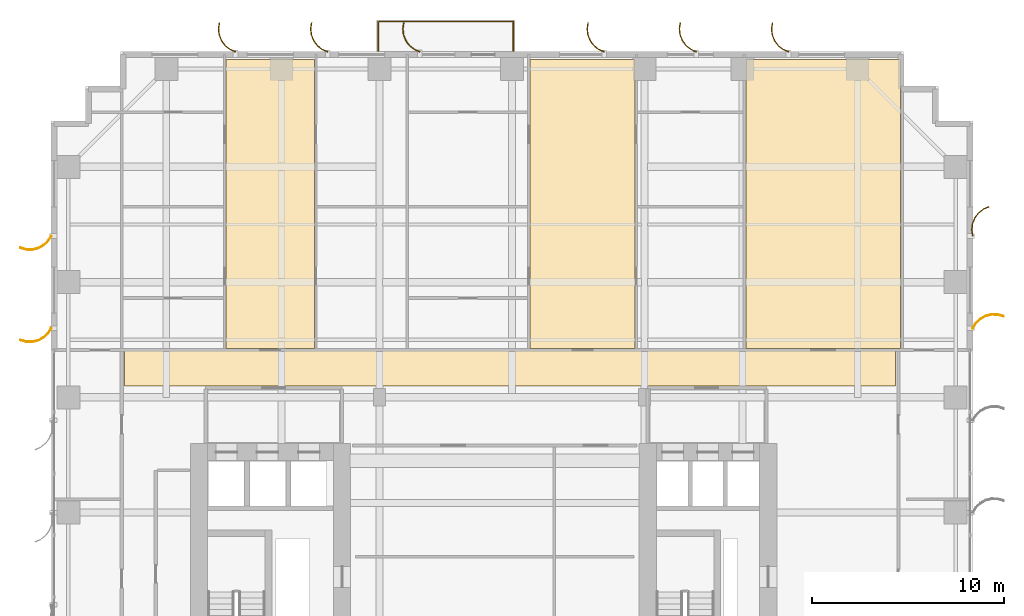
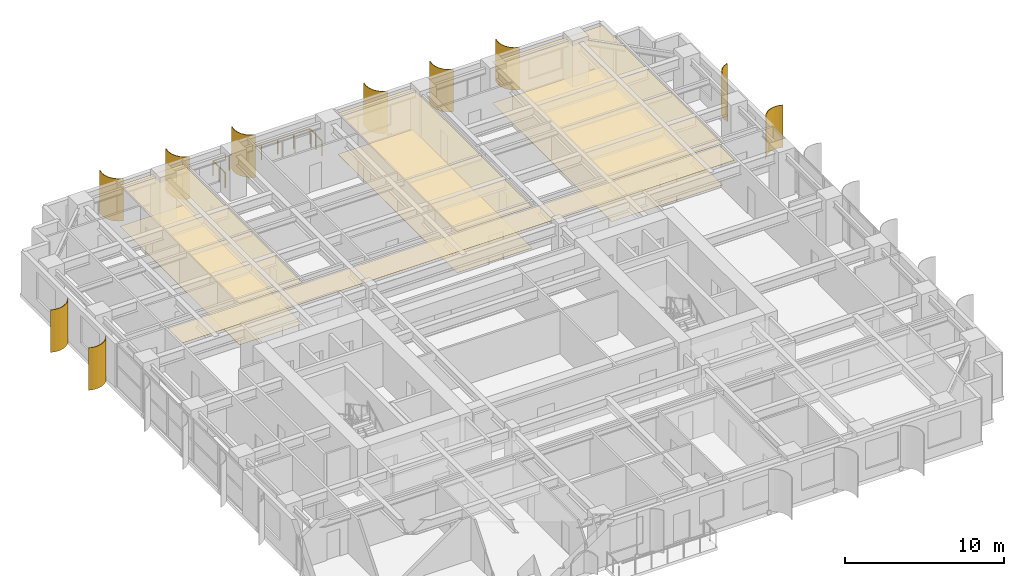
# One storey, part 18 of 18: 10 shading devices, 7 coverings, 1 railing.
"""IFC4 building model written with IfcOpenShell, lengths in metres."""

from ifc_helpers import new_model, si_unit, direction, frame, origin, origin_2d, place, context, subcontext, project, spatial, polyline, circle, outline, extrude, source, transform, mapped, material, layer, layer_set, type_object, element, save


model = new_model("IFC4")

# Units and contexts
model_context = context("Model", 3, precision=1e-05, world=origin(), true_north=direction((0.0, 1.0)))
body_context = subcontext(model_context, "Body", "Model", "MODEL_VIEW")
ifc_project = project(units=[si_unit("LENGTHUNIT", "METRE"), si_unit("AREAUNIT", "SQUARE_METRE"), si_unit("VOLUMEUNIT", "CUBIC_METRE"), si_unit("PLANEANGLEUNIT", "RADIAN"), si_unit("MASSUNIT", "GRAM", prefix="KILO")], contexts=[model_context])

# Site, building, storey
site_placement = place(None, origin())
site = spatial("IfcSite", under=ifc_project, at=site_placement, CompositionType="ELEMENT")
building_placement = place(site_placement, origin())
building = spatial("IfcBuilding", under=site, at=building_placement, Name="Khoralis Quay Care Tower", CompositionType="ELEMENT")
storey_placement = place(building_placement, frame((0.0, 0.0, 47.699951171875)))
storey = spatial("IfcBuildingStorey", under=building, at=storey_placement, Name="L12", CompositionType="ELEMENT", Elevation=47.699951171875)

# Coverings
ifc_material_1 = material(Name="Mineral-fibre acoustic ceiling tile")
ifc_layer_1 = layer(ifc_material_1, 0.01806640625)
ifc_layer_set_1 = layer_set([ifc_layer_1], Name="Mineral-fibre acoustic ceiling tile")
covering_type_1 = type_object("IfcCoveringType", Name="COV-CEIL-AC18", PredefinedType="CEILING", material=ifc_layer_set_1)
covering_1_placement = place(storey_placement, frame((0.0, 0.0, 3.172119140625)))
element("IfcCovering", 1, at=covering_1_placement, inside=storey, type_object=covering_type_1, Name="Suspended Acoustic Ceiling SP-L12-CORR-N", PredefinedType="CEILING", context=body_context, shape_type="SweptSolid", body=[
    extrude(outline(polyline([(3.820068359375, 30.590087890625), (43.97998046875, 30.590087890625), (43.97998046875, 32.419921875), (3.820068359375, 32.419921875), (3.820068359375, 30.590087890625)])), origin(), (0.0, 0.0, 1.0), 0.017822265625),
])
covering_2_placement = place(storey_placement, frame((0.0, 0.0, 3.172119140625)))
element("IfcCovering", 2, at=covering_2_placement, inside=storey, type_object=covering_type_1, Name="Suspended Acoustic Ceiling SP-L12-NB-F2LIV0", PredefinedType="CEILING", context=body_context, shape_type="SweptSolid", body=[
    extrude(outline(polyline([(9.113037109375, 32.5400390625), (13.7119140625, 32.5400390625), (13.7119140625, 47.580078125), (9.113037109375, 47.580078125), (9.113037109375, 32.5400390625)])), origin(), (0.0, 0.0, 1.0), 0.017822265625),
])
covering_3_placement = place(storey_placement, frame((0.0, 0.0, 3.172119140625)))
element("IfcCovering", 3, at=covering_3_placement, inside=storey, type_object=covering_type_1, Name="Suspended Acoustic Ceiling SP-L12-NB-F2LIV1", PredefinedType="CEILING", context=body_context, shape_type="SweptSolid", body=[
    extrude(outline(polyline([(24.947998046875, 32.5400390625), (30.404052734375, 32.5400390625), (30.404052734375, 47.580078125), (24.947998046875, 47.580078125), (24.947998046875, 32.5400390625)])), origin(), (0.0, 0.0, 1.0), 0.017822265625),
])
covering_4_placement = place(storey_placement, frame((0.0, 0.0, 3.172119140625)))
element("IfcCovering", 4, at=covering_4_placement, inside=storey, type_object=covering_type_1, Name="Suspended Acoustic Ceiling SP-L12-NB-COM2", PredefinedType="CEILING", context=body_context, shape_type="SweptSolid", body=[
    extrude(outline(polyline([(36.179931640625, 32.5400390625), (44.239990234375, 32.5400390625), (44.239990234375, 47.580078125), (36.179931640625, 47.580078125), (36.179931640625, 32.5400390625)])), origin(), (0.0, 0.0, 1.0), 0.017822265625),
])
ifc_material_2 = material(Name="Porcelain and non-slip vinyl flooring")
ifc_layer_2 = layer(ifc_material_2, 0.02001953125)
ifc_layer_set_2 = layer_set([ifc_layer_2], Name="Porcelain and non-slip vinyl flooring")
covering_type_2 = type_object("IfcCoveringType", Name="COV-FLOOR-20", PredefinedType="FLOORING", material=ifc_layer_set_2)
covering_5_placement = place(storey_placement, origin())
element("IfcCovering", 5, at=covering_5_placement, inside=storey, type_object=covering_type_2, Name="Resilient Healthcare Flooring SP-L12-NB-F2LIV0", PredefinedType="FLOORING", context=body_context, shape_type="SweptSolid", body=[
    extrude(outline(polyline([(9.113037109375, 32.5400390625), (13.7119140625, 32.5400390625), (13.7119140625, 47.580078125), (9.113037109375, 47.580078125), (9.113037109375, 32.5400390625)])), origin(), (0.0, 0.0, 1.0), 0.02001953125),
])
covering_6_placement = place(storey_placement, origin())
element("IfcCovering", 6, at=covering_6_placement, inside=storey, type_object=covering_type_2, Name="Resilient Healthcare Flooring SP-L12-NB-F2LIV1", PredefinedType="FLOORING", context=body_context, shape_type="SweptSolid", body=[
    extrude(outline(polyline([(24.947998046875, 32.5400390625), (30.404052734375, 32.5400390625), (30.404052734375, 47.580078125), (24.947998046875, 47.580078125), (24.947998046875, 32.5400390625)])), origin(), (0.0, 0.0, 1.0), 0.02001953125),
])
covering_7_placement = place(storey_placement, origin())
element("IfcCovering", 7, at=covering_7_placement, inside=storey, type_object=covering_type_2, Name="Resilient Healthcare Flooring SP-L12-NB-COM2", PredefinedType="FLOORING", context=body_context, shape_type="SweptSolid", body=[
    extrude(outline(polyline([(36.179931640625, 32.5400390625), (44.239990234375, 32.5400390625), (44.239990234375, 47.580078125), (36.179931640625, 47.580078125), (36.179931640625, 32.5400390625)])), origin(), (0.0, 0.0, 1.0), 0.02001953125),
])

# Railing
ifc_material_3 = material(Name="Pale anodised aluminium", Category="aluminium")
railing_type = type_object("IfcRailingType", Name="RL-BALUST-1150", PredefinedType="BALUSTRADE", material=ifc_material_3)
railing_placement = place(storey_placement, frame((17.030029296875, 48.0400390625, -0.06005859375)))
element("IfcRailing", 8, at=railing_placement, inside=storey, type_object=railing_type, Name="L12 Senior Loggia Balcony Guard", PredefinedType="BALUSTRADE", context=body_context, shape_type="SweptSolid", body=[
    extrude(circle(Radius=0.02392578125, at=origin_2d()), frame((0.0, 0.0, 1.1259765625), z_axis=(0.0, 1.0, 0.0), x_axis=(-1.0, 0.0, 0.0)), (0.0, 0.0, 1.0), 1.530029296875),
    extrude(circle(Radius=0.02392578125, at=origin_2d()), frame((0.0, 1.530029296875, 1.1259765625), z_axis=(1.0, 0.0, 0.0), x_axis=(0.0, 1.0, 0.0)), (0.0, 0.0, 1.0), 7.0400390625),
    extrude(circle(Radius=0.02392578125, at=origin_2d()), frame((7.0400390625, 1.530029296875, 1.1259765625), z_axis=(0.0, -1.0, 0.0), x_axis=(1.0, 0.0, 0.0)), (0.0, 0.0, 1.0), 1.530029296875),
    extrude(circle(Radius=0.02099609375, at=origin_2d()), origin(), (0.0, 0.0, 1.0), 1.101806640625),
    extrude(circle(Radius=0.02099609375, at=origin_2d()), frame((0.0, 0.76513671875, 0.0)), (0.0, 0.0, 1.0), 1.101806640625),
    extrude(circle(Radius=0.02099609375, at=origin_2d()), frame((0.0, 1.530029296875, 0.0)), (0.0, 0.0, 1.0), 1.101806640625),
    extrude(circle(Radius=0.02099609375, at=origin_2d()), frame((1.17333984375, 1.530029296875, 0.0)), (0.0, 0.0, 1.0), 1.101806640625),
    extrude(circle(Radius=0.02099609375, at=origin_2d()), frame((2.3466796875, 1.530029296875, 0.0)), (0.0, 0.0, 1.0), 1.101806640625),
    extrude(circle(Radius=0.02099609375, at=origin_2d()), frame((3.52001953125, 1.530029296875, 0.0)), (0.0, 0.0, 1.0), 1.101806640625),
    extrude(circle(Radius=0.02099609375, at=origin_2d()), frame((4.693359375, 1.530029296875, 0.0)), (0.0, 0.0, 1.0), 1.101806640625),
    extrude(circle(Radius=0.02099609375, at=origin_2d()), frame((5.86669921875, 1.530029296875, 0.0)), (0.0, 0.0, 1.0), 1.101806640625),
    extrude(circle(Radius=0.02099609375, at=origin_2d()), frame((7.0400390625, 1.530029296875, 0.0)), (0.0, 0.0, 1.0), 1.101806640625),
    extrude(circle(Radius=0.02099609375, at=origin_2d()), frame((7.0400390625, 0.76513671875, 0.0)), (0.0, 0.0, 1.0), 1.101806640625),
    extrude(circle(Radius=0.02099609375, at=origin_2d()), frame((7.0400390625, 0.0, 0.0)), (0.0, 0.0, 1.0), 1.101806640625),
])

# Shading devices
ifc_material_4 = material(Name="Brushed pale anodised aluminium", Category="aluminium")
ifc_layer_3 = layer(ifc_material_4, 0.044921875)
ifc_layer_set_3 = layer_set([ifc_layer_3], Name="Brushed pale anodised aluminium")
shading_device_type = type_object("IfcShadingDeviceType", Name="SHD-FIN-1250", PredefinedType="USERDEFINED", material=ifc_layer_set_3)
shared_shape_1 = source(origin(), body_context, "Body", "SweptSolid", [
    extrude(outline(polyline([(0.0, 0.0), (0.130126953125, 0.29931640625), (0.333251953125, 0.5546875), (0.595458984375, 0.748779296875), (0.899169921875, 0.868408203125), (1.223388671875, 0.9052734375), (1.546142578125, 0.85693359375), (1.53369140625, 0.813720703125), (1.22265625, 0.8603515625), (0.91015625, 0.82470703125), (0.617431640625, 0.70947265625), (0.364501953125, 0.522216796875), (0.168701171875, 0.276123046875), (0.043212890625, -0.012451171875), (0.0, 0.0)])), origin(), (0.0, 0.0, 1.0), 3.260009765625),
])
for number, where, z_axis, x_axis, name in (
    (9, (38.39990234375, 47.969970703125, 0.02001953125), (0.0, 0.0, 1.0), (0.0, 1.0, 0.0), "L12 Curved Solar Fin P1E10-01"),
    (10, (33.60009765625, 47.969970703125, 0.02001953125), (0.0, 0.0, 1.0), (0.0, 1.0, 0.0), "L12 Curved Solar Fin P1E10-02"),
    (11, (28.800048828125, 47.969970703125, 0.02001953125), (0.0, 0.0, 1.0), (0.0, 1.0, 0.0), "L12 Curved Solar Fin P1E10-03"),
    (12, (19.199951171875, 47.969970703125, 0.02001953125), (0.0, 0.0, 1.0), (0.0, 1.0, 0.0), "L12 Curved Solar Fin P1E10-05"),
    (13, (14.39990234375, 47.969970703125, 0.02001953125), (0.0, 0.0, 1.0), (0.0, 1.0, 0.0), "L12 Curved Solar Fin P1E10-06"),
    (14, (9.60009765625, 47.969970703125, 0.02001953125), (0.0, 0.0, 1.0), (0.0, 1.0, 0.0), "L12 Curved Solar Fin P1E10-07"),
):
    element("IfcShadingDevice", number, at=place(storey_placement, frame(where, z_axis=z_axis, x_axis=x_axis)), inside=storey, type_object=shading_device_type, Name=name, ObjectType="FIN", PredefinedType="USERDEFINED", context=body_context, shape_type="MappedRepresentation", body=[
        mapped(shared_shape_1, transform((0.0, 0.0, 0.0), scale=1.0)),
    ])
shared_shape_2 = source(origin(), body_context, "Body", "SweptSolid", [
    extrude(outline(polyline([(0.0, 0.0), (0.17041015625, 0.2783203125), (0.4072265625, 0.5029296875), (0.694091796875, 0.658447265625), (1.01123046875, 0.734619140625), (1.33740234375, 0.72607421875), (1.650390625, 0.633544921875), (1.632080078125, 0.59228515625), (1.330322265625, 0.681640625), (1.015869140625, 0.68994140625), (0.710205078125, 0.616455078125), (0.43359375, 0.466552734375), (0.20556640625, 0.25), (0.041015625, -0.018310546875), (0.0, 0.0)])), origin(), (0.0, 0.0, 1.0), 3.260009765625),
])
for number, where, z_axis, x_axis, name in (
    (15, (47.969970703125, 33.60009765625, 0.02001953125), (0.0, 0.0, 1.0), (1.0, 0.0, 0.0), "L12 Curved Solar Fin P1E5-06"),
    (16, (0.030029296875, 38.39990234375, 0.02001953125), (0.0, 0.0, 1.0), (-1.0, 0.0, 0.0), "L12 Curved Solar Fin P1E15-01"),
    (17, (0.030029296875, 33.60009765625, 0.02001953125), (0.0, 0.0, 1.0), (-1.0, 0.0, 0.0), "L12 Curved Solar Fin P1E15-02"),
):
    element("IfcShadingDevice", number, at=place(storey_placement, frame(where, z_axis=z_axis, x_axis=x_axis)), inside=storey, type_object=shading_device_type, Name=name, ObjectType="FIN", PredefinedType="USERDEFINED", context=body_context, shape_type="MappedRepresentation", body=[
        mapped(shared_shape_2, transform((0.0, 0.0, 0.0), scale=1.0)),
    ])
shared_shape_3 = source(origin(), body_context, "Body", "SweptSolid", [
    extrude(outline(polyline([(0.0, 0.0), (-0.04833984375, 0.32275390625), (-0.01123046875, 0.64697265625), (0.1083984375, 0.950439453125), (0.302490234375, 1.212890625), (0.557861328125, 1.416015625), (0.85693359375, 1.546142578125), (0.869384765625, 1.5029296875), (0.5810546875, 1.37744140625), (0.334716796875, 1.181640625), (0.147705078125, 0.9287109375), (0.032470703125, 0.635986328125), (-0.003173828125, 0.323486328125), (0.043212890625, 0.012451171875), (0.0, 0.0)])), origin(), (0.0, 0.0, 1.0), 3.260009765625),
])
shading_device_placement = place(storey_placement, frame((47.969970703125, 38.39990234375, 0.02001953125), z_axis=(0.0, 0.0, 1.0), x_axis=(1.0, 0.0, 0.0)))
element("IfcShadingDevice", 18, at=shading_device_placement, inside=storey, type_object=shading_device_type, Name="L12 Curved Solar Fin P1E5-07", ObjectType="FIN", PredefinedType="USERDEFINED", context=body_context, shape_type="MappedRepresentation", body=[
    mapped(shared_shape_3, transform((0.0, 0.0, 0.0), scale=1.0)),
])

save(model, "model.ifc")
